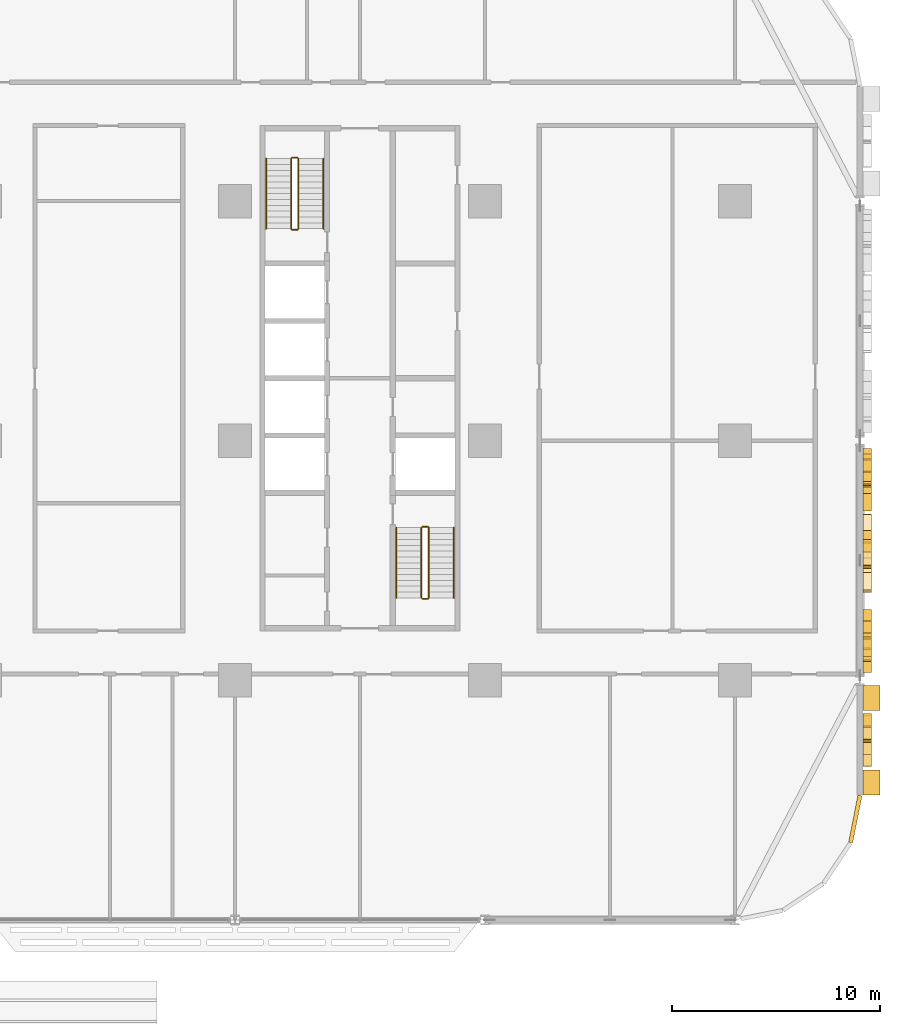
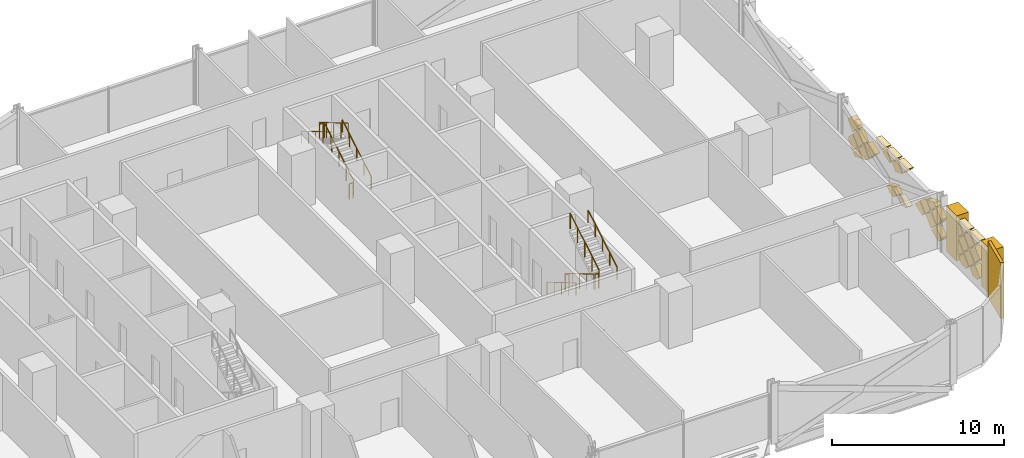
# One storey, part 25 of 26: 32 coverings, 12 railings.
"""IFC4 building model written with IfcOpenShell, lengths in metres."""

from ifc_helpers import new_model, si_unit, direction, frame, origin, origin_2d, place, context, subcontext, project, spatial, polyline, rectangle, circle, outline, extrude, material, layer, layer_set, type_object, element, save


model = new_model("IFC4")

# Units and contexts
model_context = context("Model", 3, precision=1e-05, world=origin(), true_north=direction((0.0, 1.0)))
body_context = subcontext(model_context, "Body", "Model", "MODEL_VIEW")
ifc_project = project(units=[si_unit("LENGTHUNIT", "METRE"), si_unit("AREAUNIT", "SQUARE_METRE"), si_unit("VOLUMEUNIT", "CUBIC_METRE"), si_unit("PLANEANGLEUNIT", "RADIAN"), si_unit("MASSUNIT", "GRAM", prefix="KILO")], contexts=[model_context])

# Site, building, storey
site_placement = place(None, origin())
site = spatial("IfcSite", under=ifc_project, at=site_placement, CompositionType="ELEMENT")
building_placement = place(site_placement, origin())
building = spatial("IfcBuilding", under=site, at=building_placement, Name="Mahtab Terrace Research Tower", CompositionType="ELEMENT")
storey_placement = place(building_placement, frame((0.0, 0.0, 15.800048828125)))
storey = spatial("IfcBuildingStorey", under=building, at=storey_placement, Name="L03", CompositionType="ELEMENT", Elevation=15.800048828125)

# Coverings
ifc_material_1 = material(Name="Black aluminium cladding panel", Category="aluminium")
ifc_layer_1 = layer(ifc_material_1, 0.199951171875)
ifc_layer_set_1 = layer_set([ifc_layer_1], Name="Black metal corner cladding 200")
covering_type_1 = type_object("IfcCoveringType", Name="Black metal corner cladding 200", PredefinedType="CLADDING", material=ifc_layer_set_1)
covering_1_placement = place(storey_placement, frame((47.771484375, -18.14794921875, 0.0), z_axis=(0.0, 0.0, 1.0), x_axis=(0.195212442692, 0.980760981187, 0.0)))
element("IfcCovering", 1, at=covering_1_placement, inside=storey, type_object=covering_type_1, Name="Corner cladding L03 32", PredefinedType="CLADDING", context=body_context, shape_type="SweptSolid", body=[
    extrude(rectangle(XDim=2.30126953125, YDim=0.199951171875, at=origin_2d()), origin(), (0.0, 0.0, 1.0), 3.9599609375),
])
ifc_material_2 = material(Name="Bronze anodised aluminium", Category="aluminium")
ifc_layer_2 = layer(ifc_material_2, 0.39990234375)
ifc_layer_set_2 = layer_set([ifc_layer_2], Name="Mashrabiya relief panel 400")
covering_type_2 = type_object("IfcCoveringType", Name="Mashrabiya relief panel 400", PredefinedType="CLADDING", material=ifc_layer_set_2)
covering_2_placement = place(storey_placement, frame((48.14990234375, -15.6298828125, 0.449951171875), z_axis=(-1.0, 0.0, 0.0), x_axis=(0.0, 0.706957932274, 0.707255598772)))
element("IfcCovering", 2, at=covering_2_placement, inside=storey, type_object=covering_type_2, Name="Mashrabiya lattice cell L03 E33.1", PredefinedType="CLADDING", context=body_context, shape_type="SweptSolid", body=[
    extrude(outline(polyline([(0.0, 0.0), (0.8201817362875763, 0.0), (0.8200090664636573, 0.8203543334390104), (0.37461466825813394, 0.8202605859335999), (-9.374750541055188e-05, 0.4453943982055234), (0.0, 0.0)])), origin(), (0.0, 0.0, -1.0), 0.39990234375),
])
covering_3_placement = place(storey_placement, frame((48.14990234375, -15.050048828125, 2.329833984375), z_axis=(-1.0, 0.0, 0.0), x_axis=(0.0, 0.707255598772, -0.706957932274)))
element("IfcCovering", 3, at=covering_3_placement, inside=storey, type_object=covering_type_2, Name="Mashrabiya lattice cell L03 E33.2", PredefinedType="CLADDING", context=body_context, shape_type="SweptSolid", body=[
    extrude(outline(polyline([(0.0, 0.0), (0.8201817362875763, 0.0), (0.8200090664636573, 0.8203543334390104), (-0.00017259715143413956, 0.8200090664636573), (0.0, 0.0)])), origin(), (0.0, 0.0, -1.0), 0.39990234375),
])
covering_4_placement = place(storey_placement, frame((48.14990234375, -14.469970703125, 3.050048828125), z_axis=(-1.0, 0.0, 0.0), x_axis=(0.0, -0.707106781187, -0.707106781187)))
element("IfcCovering", 4, at=covering_4_placement, inside=storey, type_object=covering_type_2, Name="Mashrabiya lattice cell L03 E33.3", PredefinedType="CLADDING", context=body_context, shape_type="SweptSolid", body=[
    extrude(outline(polyline([(0.0, 0.0), (0.8203543516109556, 0.0), (0.820181718119455, 0.820181718119455), (0.7949772283603641, 0.820181718119455), (0.00017263349150062161, 0.02537712325059143), (0.0, 0.0)])), origin(), (0.0, 0.0, -1.0), 0.39990234375),
])
for number, where, z_axis, x_axis, name in (
    (5, (48.14990234375, -14.39990234375, 1.679931640625), (-1.0, 0.0, 0.0), (0.0, 0.706957932274, -0.707255598772), "Mashrabiya lattice cell L03 E33.4"),
    (6, (48.14990234375, -14.39990234375, 2.97998046875), (-1.0, 0.0, 0.0), (0.0, 0.706957932274, -0.707255598772), "Mashrabiya lattice cell L03 E33.5"),
):
    element("IfcCovering", number, at=place(storey_placement, frame(where, z_axis=z_axis, x_axis=x_axis)), inside=storey, type_object=covering_type_2, Name=name, PredefinedType="CLADDING", context=body_context, shape_type="SweptSolid", body=[
        extrude(outline(polyline([(0.0, 0.0), (0.8201817362875763, 0.0), (0.8203543334390104, 0.8200090664636573), (0.00017266982391900276, 0.8203543334390104), (0.0, 0.0)])), origin(), (0.0, 0.0, -1.0), 0.39990234375),
    ])
covering_5_placement = place(storey_placement, frame((48.14990234375, -14.330078125, 0.449951171875), z_axis=(-1.0, 0.0, 0.0), x_axis=(0.0, 0.707106781187, 0.707106781187)))
element("IfcCovering", 7, at=covering_5_placement, inside=storey, type_object=covering_type_2, Name="Mashrabiya lattice cell L03 E33.6", PredefinedType="CLADDING", context=body_context, shape_type="SweptSolid", body=[
    extrude(outline(polyline([(0.0, 0.0), (0.8203543516109556, 0.0), (0.8203543516109556, 0.8203543516109556), (0.3747873100478503, 0.8201817181194551), (0.00017263349150062335, 0.44556704156310534), (0.0, 0.0)])), origin(), (0.0, 0.0, -1.0), 0.39990234375),
])
covering_6_placement = place(storey_placement, frame((48.14990234375, -13.75, 2.329833984375), z_axis=(-1.0, 0.0, 0.0), x_axis=(0.0, 0.707255598772, -0.706957932274)))
element("IfcCovering", 8, at=covering_6_placement, inside=storey, type_object=covering_type_2, Name="Mashrabiya lattice cell L03 E33.7", PredefinedType="CLADDING", context=body_context, shape_type="SweptSolid", body=[
    extrude(outline(polyline([(0.0, 0.0), (0.8201817362875763, 0.0), (0.8200090664636573, 0.8203543334390104), (-0.0003452669753531423, 0.8201816636150915), (0.0, 0.0)])), origin(), (0.0, 0.0, -1.0), 0.39990234375),
])
covering_7_placement = place(storey_placement, frame((48.14990234375, -13.169921875, 3.050048828125), z_axis=(-1.0, 0.0, 0.0), x_axis=(0.0, -0.707106781187, -0.707106781187)))
element("IfcCovering", 9, at=covering_7_placement, inside=storey, type_object=covering_type_2, Name="Mashrabiya lattice cell L03 E33.8", PredefinedType="CLADDING", context=body_context, shape_type="SweptSolid", body=[
    extrude(outline(polyline([(0.0, 0.0), (0.8203543516109556, 0.0), (0.8203543516109556, 0.8203543516109556), (0.7949772283603641, 0.820181718119455), (0.00017263349150062161, 0.02537712325059143), (0.0, 0.0)])), origin(), (0.0, 0.0, -1.0), 0.39990234375),
])
covering_8_placement = place(storey_placement, frame((48.14990234375, -13.10009765625, 0.52001953125), z_axis=(-1.0, 0.0, 0.0), x_axis=(0.0, -0.707106781187, 0.707106781187)))
element("IfcCovering", 10, at=covering_8_placement, inside=storey, type_object=covering_type_2, Name="Mashrabiya lattice cell L03 E33.9", PredefinedType="CLADDING", context=body_context, shape_type="SweptSolid", body=[
    extrude(outline(polyline([(0.0, 0.0), (0.8200090846279543, 0.0), (0.820181718119455, 0.820181718119455), (0.7975667307328734, 0.8203543516109556), (-0.00017263349150062161, 0.022614987386581478), (0.0, 0.0)])), origin(), (0.0, 0.0, -1.0), 0.39990234375),
])
covering_9_placement = place(storey_placement, frame((48.14990234375, -13.10009765625, 1.820068359375), z_axis=(-1.0, 0.0, 0.0), x_axis=(0.0, -0.707106781187, 0.707106781187)))
element("IfcCovering", 11, at=covering_9_placement, inside=storey, type_object=covering_type_2, Name="Mashrabiya lattice cell L03 E33.10", PredefinedType="CLADDING", context=body_context, shape_type="SweptSolid", body=[
    extrude(outline(polyline([(0.0, 0.0), (0.8200090846279543, 0.0), (0.820181718119455, 0.820181718119455), (0.7973940972413728, 0.820181718119455), (-0.00017263349150062161, 0.022614987386581478), (0.0, 0.0)])), origin(), (0.0, 0.0, -1.0), 0.39990234375),
])
covering_10_placement = place(storey_placement, frame((48.14990234375, -11.115966796875, 0.385009765625), z_axis=(-1.0, 0.0, 0.0), x_axis=(0.0, 0.0, 1.0)))
element("IfcCovering", 12, at=covering_10_placement, inside=storey, type_object=covering_type_2, Name="Mashrabiya lattice cell L03 E34.1", PredefinedType="CLADDING", context=body_context, shape_type="SweptSolid", body=[
    extrude(outline(polyline([(0.0, 0.0), (0.1298828125, 0.0), (0.64501953125, 0.514892578125), (0.06494140625, 1.094970703125), (0.0, 1.030029296875), (-0.25, 0.362060546875), (-0.25, 0.25), (0.0, 0.0)])), origin(), (0.0, 0.0, -1.0), 0.39990234375),
])
covering_11_placement = place(storey_placement, frame((48.14990234375, -10.60107421875, 2.329833984375), z_axis=(-1.0, 0.0, 0.0), x_axis=(0.0, 0.707255598772, -0.706957932274)))
element("IfcCovering", 13, at=covering_11_placement, inside=storey, type_object=covering_type_2, Name="Mashrabiya lattice cell L03 E34.2", PredefinedType="CLADDING", context=body_context, shape_type="SweptSolid", body=[
    extrude(outline(polyline([(0.0, 0.0), (0.8201817362875763, 0.0), (0.8200090664636573, 0.8203543334390104), (0.0916684182924955, 0.820028397344618), (-0.0001532662704735177, 0.7281680510197277), (0.0, 0.0)])), origin(), (0.0, 0.0, -1.0), 0.39990234375),
])
covering_12_placement = place(storey_placement, frame((48.14990234375, -9.950927734375, 1.679931640625), z_axis=(-1.0, 0.0, 0.0), x_axis=(0.0, 0.706957932274, -0.707255598772)))
element("IfcCovering", 14, at=covering_12_placement, inside=storey, type_object=covering_type_2, Name="Mashrabiya lattice cell L03 E34.3", PredefinedType="CLADDING", context=body_context, shape_type="SweptSolid", body=[
    extrude(outline(polyline([(0.0, 0.0), (0.8201817362875763, 0.0), (0.8203543334390104, 0.8200090664636573), (0.00017266982391900276, 0.8203543334390104), (0.0, 0.0)])), origin(), (0.0, 0.0, -1.0), 0.39990234375),
])
covering_13_placement = place(storey_placement, frame((48.14990234375, -9.950927734375, 1.820068359375), z_axis=(-1.0, 0.0, 0.0), x_axis=(0.0, -0.707255598772, 0.706957932274)))
element("IfcCovering", 15, at=covering_13_placement, inside=storey, type_object=covering_type_2, Name="Mashrabiya lattice cell L03 E34.4", PredefinedType="CLADDING", context=body_context, shape_type="SweptSolid", body=[
    extrude(outline(polyline([(0.0, 0.0), (0.8201817362875763, 0.0), (0.8201287580461467, 0.2516996250324237), (-0.00013153719751402004, 0.6249332253891452), (0.0, 0.0)])), origin(), (0.0, 0.0, -1.0), 0.39990234375),
])
covering_14_placement = place(storey_placement, frame((48.14990234375, -8.720947265625, 1.75), z_axis=(-1.0, 0.0, 0.0), x_axis=(0.0, -0.707106781187, -0.707106781187)))
element("IfcCovering", 16, at=covering_14_placement, inside=storey, type_object=covering_type_2, Name="Mashrabiya lattice cell L03 E34.5", PredefinedType="CLADDING", context=body_context, shape_type="SweptSolid", body=[
    extrude(outline(polyline([(0.0, 0.0), (0.8203543516109556, 0.0), (0.8203543516109556, 0.8203543516109556), (0.1500185041140405, 0.820181718119455), (0.00017263349150062335, 0.49217808426827325), (0.0, 0.0)])), origin(), (0.0, 0.0, -1.0), 0.39990234375),
])
covering_15_placement = place(storey_placement, frame((48.14990234375, -9.23095703125, 1.099853515625), z_axis=(-1.0, 0.0, 0.0), x_axis=(0.0, 0.707106781187, 0.707106781187)))
element("IfcCovering", 17, at=covering_15_placement, inside=storey, type_object=covering_type_2, Name="Mashrabiya lattice cell L03 E34.6", PredefinedType="CLADDING", context=body_context, shape_type="SweptSolid", body=[
    extrude(outline(polyline([(0.0, 0.0), (0.8203543516109556, 0.0), (0.820181718119455, 0.7804760150743119), (0.0, 0.4070697729584666), (0.0, 0.0)])), origin(), (0.0, 0.0, -1.0), 0.39990234375),
])
covering_16_placement = place(storey_placement, frame((48.14990234375, -7.160888671875, 0.329833984375), z_axis=(-1.0, 0.0, 0.0), x_axis=(0.0, 0.936939642646, 0.349491210244)))
element("IfcCovering", 18, at=covering_16_placement, inside=storey, type_object=covering_type_2, Name="Mashrabiya lattice cell L03 E34.7", PredefinedType="CLADDING", context=body_context, shape_type="SweptSolid", body=[
    extrude(outline(polyline([(0.0, 0.0), (0.9018411268612947, 0.0), (1.0162049837573561, 0.2508566309202513), (0.6110546419046019, 0.4358684663201832), (0.11444918189856254, 0.2506278858903084), (0.0, 0.0)])), origin(), (0.0, 0.0, -1.0), 0.39990234375),
])
covering_17_placement = place(storey_placement, frame((48.14990234375, -6.12109375, 3.050048828125), z_axis=(-1.0, 0.0, 0.0), x_axis=(0.0, -0.706957932274, -0.707255598772)))
element("IfcCovering", 19, at=covering_17_placement, inside=storey, type_object=covering_type_2, Name="Mashrabiya lattice cell L03 E34.8", PredefinedType="CLADDING", context=body_context, shape_type="SweptSolid", body=[
    extrude(outline(polyline([(0.0, 0.0), (0.8201817362875763, 0.0), (0.8200090664636573, 0.8203543334390104), (0.7946319801114454, 0.8201763585237), (-5.30509139145055e-06, 0.02520448920077768), (0.0, 0.0)])), origin(), (0.0, 0.0, -1.0), 0.39990234375),
])
covering_18_placement = place(storey_placement, frame((48.14990234375, -6.631103515625, 2.39990234375), z_axis=(-1.0, 0.0, 0.0), x_axis=(0.0, 0.707106781187, 0.707106781187)))
element("IfcCovering", 20, at=covering_18_placement, inside=storey, type_object=covering_type_2, Name="Mashrabiya lattice cell L03 E34.9", PredefinedType="CLADDING", context=body_context, shape_type="SweptSolid", body=[
    extrude(outline(polyline([(0.0, 0.0), (0.8203543516109556, 0.0), (0.8203543516109556, 0.8203543516109556), (0.30694234788810587, 0.8203543516109555), (0.0, 0.14570266682652494), (0.0, 0.0)])), origin(), (0.0, 0.0, -1.0), 0.39990234375),
])
covering_19_placement = place(storey_placement, frame((48.14990234375, -5.98095703125, 0.449951171875), z_axis=(-1.0, 0.0, 0.0), x_axis=(0.0, 0.707106781187, 0.707106781187)))
element("IfcCovering", 21, at=covering_19_placement, inside=storey, type_object=covering_type_2, Name="Mashrabiya lattice cell L03 E34.10", PredefinedType="CLADDING", context=body_context, shape_type="SweptSolid", body=[
    extrude(outline(polyline([(0.0, 0.0), (0.5075424650118285, 0.0), (0.820181718119455, 0.685872861731971), (0.820181718119455, 0.820181718119455), (0.3747873100478503, 0.8201817181194551), (0.0, 0.4453944080716047), (0.0, 0.0)])), origin(), (0.0, 0.0, -1.0), 0.39990234375),
])
covering_20_placement = place(storey_placement, frame((48.14990234375, -4.821044921875, 3.050048828125), z_axis=(-1.0, 0.0, 0.0), x_axis=(0.0, -0.706957932274, -0.707255598772)))
element("IfcCovering", 22, at=covering_20_placement, inside=storey, type_object=covering_type_2, Name="Mashrabiya lattice cell L03 E34.11", PredefinedType="CLADDING", context=body_context, shape_type="SweptSolid", body=[
    extrude(outline(polyline([(0.0, 0.0), (0.8201817362875763, 0.0), (0.8200090664636573, 0.8203543334390104), (0.7946319801114454, 0.8201763585237), (0.00016729206004270115, 0.025377159024696644), (0.0, 0.0)])), origin(), (0.0, 0.0, -1.0), 0.39990234375),
])
covering_21_placement = place(storey_placement, frame((48.14990234375, -5.3310546875, 2.39990234375), z_axis=(-1.0, 0.0, 0.0), x_axis=(0.0, 0.707106781187, 0.707106781187)))
element("IfcCovering", 23, at=covering_21_placement, inside=storey, type_object=covering_type_2, Name="Mashrabiya lattice cell L03 E34.12", PredefinedType="CLADDING", context=body_context, shape_type="SweptSolid", body=[
    extrude(outline(polyline([(0.0, 0.0), (0.8203543516109556, 0.0), (0.8203543516109556, 0.6180278995722267), (0.00017263349150062335, 0.24462165745638131), (0.0, 0.0)])), origin(), (0.0, 0.0, -1.0), 0.39990234375),
])
covering_22_placement = place(storey_placement, frame((48.14990234375, -4.680908203125, 3.050048828125), z_axis=(-1.0, 0.0, 0.0), x_axis=(0.0, 0.707106781187, 0.707106781187)))
element("IfcCovering", 24, at=covering_22_placement, inside=storey, type_object=covering_type_2, Name="Mashrabiya lattice cell L03 E34.13", PredefinedType="CLADDING", context=body_context, shape_type="SweptSolid", body=[
    extrude(outline(polyline([(0.0, 0.0), (0.025204489759090808, 0.0), (0.8200090846279544, 0.7948045948688636), (0.820181718119455, 0.820181718119455), (0.3449217160182427, 0.8203543516109555), (0.0, 0.6632578743453896), (0.0, 0.0)])), origin(), (0.0, 0.0, -1.0), 0.39990234375),
])
covering_23_placement = place(storey_placement, frame((48.14990234375, -2.220947265625, 1.75), z_axis=(-1.0, 0.0, 0.0), x_axis=(0.0, -0.707106781187, -0.707106781187)))
element("IfcCovering", 25, at=covering_23_placement, inside=storey, type_object=covering_type_2, Name="Mashrabiya lattice cell L03 E34.14", PredefinedType="CLADDING", context=body_context, shape_type="SweptSolid", body=[
    extrude(outline(polyline([(0.0, 0.0), (0.8203543516109556, 0.0), (0.8203543516109555, 0.8131037449679295), (0.0, 0.4384890684115798), (0.0, 0.0)])), origin(), (0.0, 0.0, -1.0), 0.39990234375),
])
covering_24_placement = place(storey_placement, frame((48.14990234375, -2.73095703125, 1.099853515625), z_axis=(-1.0, 0.0, 0.0), x_axis=(0.0, 0.707106781187, 0.707106781187)))
element("IfcCovering", 26, at=covering_24_placement, inside=storey, type_object=covering_type_2, Name="Mashrabiya lattice cell L03 E34.15", PredefinedType="CLADDING", context=body_context, shape_type="SweptSolid", body=[
    extrude(outline(polyline([(0.0, 0.0), (0.8203543516109556, 0.0), (0.820181718119455, 0.820181718119455), (0.14432159889451995, 0.8200090846279544), (0.0, 0.5033992612158137), (0.0, 0.0)])), origin(), (0.0, 0.0, -1.0), 0.39990234375),
])
covering_25_placement = place(storey_placement, frame((48.14990234375, -1.5009765625, 1.030029296875), z_axis=(-1.0, 0.0, 0.0), x_axis=(0.0, 0.707106781187, -0.707106781187)))
element("IfcCovering", 27, at=covering_25_placement, inside=storey, type_object=covering_type_2, Name="Mashrabiya lattice cell L03 E34.16", PredefinedType="CLADDING", context=body_context, shape_type="SweptSolid", body=[
    extrude(outline(polyline([(0.0, 0.0), (0.8203543516109556, 0.0), (0.820181718119455, 0.2573965358274274), (0.0, 0.6308027779432727), (0.0, 0.0)])), origin(), (0.0, 0.0, -1.0), 0.39990234375),
])
covering_26_placement = place(storey_placement, frame((48.14990234375, -1.5009765625, 2.329833984375), z_axis=(-1.0, 0.0, 0.0), x_axis=(0.0, 0.707255598772, -0.706957932274)))
element("IfcCovering", 28, at=covering_26_placement, inside=storey, type_object=covering_type_2, Name="Mashrabiya lattice cell L03 E34.17", PredefinedType="CLADDING", context=body_context, shape_type="SweptSolid", body=[
    extrude(outline(polyline([(0.0, 0.0), (0.8201817362875763, 0.0), (0.8200090664636573, 0.8203543334390104), (-0.0003452669753531423, 0.8201816636150915), (0.0, 0.0)])), origin(), (0.0, 0.0, -1.0), 0.39990234375),
])
covering_27_placement = place(storey_placement, frame((48.14990234375, -0.85107421875, 0.52001953125), z_axis=(-1.0, 0.0, 0.0), x_axis=(0.0, -0.707106781187, 0.707106781187)))
element("IfcCovering", 29, at=covering_27_placement, inside=storey, type_object=covering_type_2, Name="Mashrabiya lattice cell L03 E34.18", PredefinedType="CLADDING", context=body_context, shape_type="SweptSolid", body=[
    extrude(outline(polyline([(0.0, 0.0), (0.8200090846279543, 0.0), (0.820181718119455, 0.820181718119455), (0.1596859796380753, 0.820181718119455), (0.0, 0.6604957384813797), (0.0, 0.0)])), origin(), (0.0, 0.0, -1.0), 0.39990234375),
])
covering_28_placement = place(storey_placement, frame((48.14990234375, -0.85107421875, 1.820068359375), z_axis=(-1.0, 0.0, 0.0), x_axis=(0.0, -0.707106781187, 0.707106781187)))
element("IfcCovering", 30, at=covering_28_placement, inside=storey, type_object=covering_type_2, Name="Mashrabiya lattice cell L03 E34.19", PredefinedType="CLADDING", context=body_context, shape_type="SweptSolid", body=[
    extrude(outline(polyline([(0.0, 0.0), (0.8200090846279543, 0.0), (0.8200090846279544, 0.16262074899358586), (0.5203173433828746, 0.8203543516109556), (0.1596859796380753, 0.820181718119455), (-0.0001726334915006511, 0.660323104989879), (0.0, 0.0)])), origin(), (0.0, 0.0, -1.0), 0.39990234375),
])
ifc_material_3 = material(Name="Glazed ceramic tile cladding", Category="masonry")
ifc_layer_3 = layer(ifc_material_3, 0.800048828125)
ifc_layer_set_3 = layer_set([ifc_layer_3], Name="Pishtaq frame pier 800")
covering_type_3 = type_object("IfcCoveringType", Name="Pishtaq frame pier 800", PredefinedType="CLADDING", material=ifc_layer_set_3)
for number, where, z_axis, x_axis, name in (
    (31, (48.550048828125, -16.39990234375, 0.00048828125), (0.0, 0.0, 1.0), (0.0, 1.0, 0.0), "Pishtaq frame pier 33a"),
    (32, (48.550048828125, -12.34912109375, 0.00048828125), (0.0, 0.0, 1.0), (0.0, 1.0, 0.0), "Pishtaq frame pier 33b"),
):
    element("IfcCovering", number, at=place(storey_placement, frame(where, z_axis=z_axis, x_axis=x_axis)), inside=storey, type_object=covering_type_3, Name=name, PredefinedType="CLADDING", context=body_context, shape_type="SweptSolid", body=[
        extrude(rectangle(XDim=1.199951171875, YDim=0.800048828125, at=origin_2d()), origin(), (0.0, 0.0, 1.0), 3.202880859375),
    ])

# Railings
ifc_material_4 = material(Name="Stainless steel AISI 304", Category="steel")
railing_type_1 = type_object("IfcRailingType", Name="Stair guard 1100", PredefinedType="GUARDRAIL", material=ifc_material_4)
railing_1_placement = place(storey_placement, frame((21.050048828125, 10.175048828125, 0.165283203125)))
element("IfcRailing", 33, at=railing_1_placement, inside=storey, type_object=railing_type_1, Name="L03 ST3 stair guard 1", PredefinedType="GUARDRAIL", context=body_context, shape_type="SweptSolid", body=[
    extrude(circle(Radius=0.02392578125, at=origin_2d()), frame((0.0, 0.0, 1.076171875), z_axis=(0.0, 0.861011212953, 0.508585972249), x_axis=(-1.0, 0.0, 0.0)), (0.0, 0.0, 1.0), 3.90234375),
    extrude(circle(Radius=0.02099609375, at=origin_2d()), origin(), (0.0, 0.0, 1.0), 1.052001953125),
    extrude(circle(Radius=0.02099609375, at=origin_2d()), frame((0.0, 0.83984375, 0.49609375)), (0.0, 0.0, 1.0), 1.052001953125),
    extrude(circle(Radius=0.02099609375, at=origin_2d()), frame((0.0, 1.679931640625, 0.9921875)), (0.0, 0.0, 1.0), 1.052001953125),
    extrude(circle(Radius=0.02099609375, at=origin_2d()), frame((0.0, 2.52001953125, 1.488525390625)), (0.0, 0.0, 1.0), 1.052001953125),
    extrude(circle(Radius=0.02099609375, at=origin_2d()), frame((0.0, 3.35986328125, 1.984619140625)), (0.0, 0.0, 1.0), 1.052001953125),
])
railing_2_placement = place(storey_placement, frame((21.0, 13.5849609375, 2.14990234375)))
element("IfcRailing", 34, at=railing_2_placement, inside=storey, type_object=railing_type_1, Name="L03 ST3 stair guard 2", PredefinedType="GUARDRAIL", context=body_context, shape_type="SweptSolid", body=[
    extrude(circle(Radius=0.02392578125, at=origin_2d()), frame((0.0, 0.0, 1.076171875), z_axis=(-1.0, 0.0, 0.0), x_axis=(0.0, -1.0, 0.0)), (0.0, 0.0, 1.0), 0.25),
    extrude(circle(Radius=0.02099609375, at=origin_2d()), origin(), (0.0, 0.0, 1.0), 1.052001953125),
    extrude(circle(Radius=0.02099609375, at=origin_2d()), frame((-0.25, 0.0, 0.0)), (0.0, 0.0, 1.0), 1.052001953125),
])
railing_3_placement = place(storey_placement, frame((20.699951171875, 13.534912109375, 2.3154296875)))
element("IfcRailing", 35, at=railing_3_placement, inside=storey, type_object=railing_type_1, Name="L03 ST3 stair guard 3", PredefinedType="GUARDRAIL", context=body_context, shape_type="SweptSolid", body=[
    extrude(circle(Radius=0.02392578125, at=origin_2d()), frame((0.0, 0.0, 1.076171875), z_axis=(0.0, -0.861011212953, 0.508585972249), x_axis=(1.0, 0.0, 0.0)), (0.0, 0.0, 1.0), 3.90234375),
    extrude(circle(Radius=0.02099609375, at=origin_2d()), origin(), (0.0, 0.0, 1.0), 1.052001953125),
    extrude(circle(Radius=0.02099609375, at=origin_2d()), frame((0.0, -0.83984375, 0.49609375)), (0.0, 0.0, 1.0), 1.052001953125),
    extrude(circle(Radius=0.02099609375, at=origin_2d()), frame((0.0, -1.679931640625, 0.9921875)), (0.0, 0.0, 1.0), 1.052001953125),
    extrude(circle(Radius=0.02099609375, at=origin_2d()), frame((0.0, -2.52001953125, 1.488525390625)), (0.0, 0.0, 1.0), 1.052001953125),
    extrude(circle(Radius=0.02099609375, at=origin_2d()), frame((0.0, -3.35986328125, 1.984619140625)), (0.0, 0.0, 1.0), 1.052001953125),
])
railing_4_placement = place(storey_placement, frame((21.0, 10.125, 0.0)))
element("IfcRailing", 36, at=railing_4_placement, inside=storey, type_object=railing_type_1, Name="L03 ST3 stair guard 4", PredefinedType="GUARDRAIL", context=body_context, shape_type="SweptSolid", body=[
    extrude(circle(Radius=0.02392578125, at=origin_2d()), frame((0.0, 0.0, 1.076171875), z_axis=(-1.0, 0.0, 0.0), x_axis=(0.0, -1.0, 0.0)), (0.0, 0.0, 1.0), 0.25),
    extrude(circle(Radius=0.02099609375, at=origin_2d()), origin(), (0.0, 0.0, 1.0), 1.052001953125),
    extrude(circle(Radius=0.02099609375, at=origin_2d()), frame((-0.25, 0.0, 0.0)), (0.0, 0.0, 1.0), 1.052001953125),
])
railing_5_placement = place(storey_placement, frame((26.949951171875, -4.175048828125, 0.165283203125)))
element("IfcRailing", 37, at=railing_5_placement, inside=storey, type_object=railing_type_1, Name="L03 ST4 stair guard 1", PredefinedType="GUARDRAIL", context=body_context, shape_type="SweptSolid", body=[
    extrude(circle(Radius=0.02392578125, at=origin_2d()), frame((0.0, 0.0, 1.076171875), z_axis=(0.0, -0.861011212953, 0.508585972249), x_axis=(1.0, 0.0, 0.0)), (0.0, 0.0, 1.0), 3.90234375),
    extrude(circle(Radius=0.02099609375, at=origin_2d()), origin(), (0.0, 0.0, 1.0), 1.052001953125),
    extrude(circle(Radius=0.02099609375, at=origin_2d()), frame((0.0, -0.83984375, 0.49609375)), (0.0, 0.0, 1.0), 1.052001953125),
    extrude(circle(Radius=0.02099609375, at=origin_2d()), frame((0.0, -1.679931640625, 0.9921875)), (0.0, 0.0, 1.0), 1.052001953125),
    extrude(circle(Radius=0.02099609375, at=origin_2d()), frame((0.0, -2.52001953125, 1.488525390625)), (0.0, 0.0, 1.0), 1.052001953125),
    extrude(circle(Radius=0.02099609375, at=origin_2d()), frame((0.0, -3.35986328125, 1.984619140625)), (0.0, 0.0, 1.0), 1.052001953125),
])
railing_6_placement = place(storey_placement, frame((27.0, -7.5849609375, 2.14990234375)))
element("IfcRailing", 38, at=railing_6_placement, inside=storey, type_object=railing_type_1, Name="L03 ST4 stair guard 2", PredefinedType="GUARDRAIL", context=body_context, shape_type="SweptSolid", body=[
    extrude(circle(Radius=0.02392578125, at=origin_2d()), frame((0.0, 0.0, 1.076171875), z_axis=(1.0, 0.0, 0.0), x_axis=(0.0, 1.0, 0.0)), (0.0, 0.0, 1.0), 0.25),
    extrude(circle(Radius=0.02099609375, at=origin_2d()), origin(), (0.0, 0.0, 1.0), 1.052001953125),
    extrude(circle(Radius=0.02099609375, at=origin_2d()), frame((0.25, 0.0, 0.0)), (0.0, 0.0, 1.0), 1.052001953125),
])
railing_7_placement = place(storey_placement, frame((27.300048828125, -7.534912109375, 2.3154296875)))
element("IfcRailing", 39, at=railing_7_placement, inside=storey, type_object=railing_type_1, Name="L03 ST4 stair guard 3", PredefinedType="GUARDRAIL", context=body_context, shape_type="SweptSolid", body=[
    extrude(circle(Radius=0.02392578125, at=origin_2d()), frame((0.0, 0.0, 1.076171875), z_axis=(0.0, 0.861011212953, 0.508585972249), x_axis=(-1.0, 0.0, 0.0)), (0.0, 0.0, 1.0), 3.90234375),
    extrude(circle(Radius=0.02099609375, at=origin_2d()), origin(), (0.0, 0.0, 1.0), 1.052001953125),
    extrude(circle(Radius=0.02099609375, at=origin_2d()), frame((0.0, 0.83984375, 0.49609375)), (0.0, 0.0, 1.0), 1.052001953125),
    extrude(circle(Radius=0.02099609375, at=origin_2d()), frame((0.0, 1.679931640625, 0.9921875)), (0.0, 0.0, 1.0), 1.052001953125),
    extrude(circle(Radius=0.02099609375, at=origin_2d()), frame((0.0, 2.52001953125, 1.488525390625)), (0.0, 0.0, 1.0), 1.052001953125),
    extrude(circle(Radius=0.02099609375, at=origin_2d()), frame((0.0, 3.35986328125, 1.984619140625)), (0.0, 0.0, 1.0), 1.052001953125),
])
railing_8_placement = place(storey_placement, frame((27.0, -4.125, 0.0)))
element("IfcRailing", 40, at=railing_8_placement, inside=storey, type_object=railing_type_1, Name="L03 ST4 stair guard 4", PredefinedType="GUARDRAIL", context=body_context, shape_type="SweptSolid", body=[
    extrude(circle(Radius=0.02392578125, at=origin_2d()), frame((0.0, 0.0, 1.076171875), z_axis=(1.0, 0.0, 0.0), x_axis=(0.0, 1.0, 0.0)), (0.0, 0.0, 1.0), 0.25),
    extrude(circle(Radius=0.02099609375, at=origin_2d()), origin(), (0.0, 0.0, 1.0), 1.052001953125),
    extrude(circle(Radius=0.02099609375, at=origin_2d()), frame((0.25, 0.0, 0.0)), (0.0, 0.0, 1.0), 1.052001953125),
])
railing_type_2 = type_object("IfcRailingType", Name="Stair handrail 900", PredefinedType="HANDRAIL", material=ifc_material_4)
railing_9_placement = place(storey_placement, frame((22.25, 10.175048828125, 0.165283203125)))
element("IfcRailing", 41, at=railing_9_placement, inside=storey, type_object=railing_type_2, Name="L03 ST3 stair handrail 1", PredefinedType="HANDRAIL", context=body_context, shape_type="SweptSolid", body=[
    extrude(circle(Radius=0.02392578125, at=origin_2d()), frame((0.0, 0.0, 0.8759765625), z_axis=(0.0, 0.861011212953, 0.508585972249), x_axis=(-1.0, 0.0, 0.0)), (0.0, 0.0, 1.0), 3.90234375),
    extrude(circle(Radius=0.02099609375, at=origin_2d()), origin(), (0.0, 0.0, 1.0), 0.851806640625),
    extrude(circle(Radius=0.02099609375, at=origin_2d()), frame((0.0, 0.83984375, 0.49609375)), (0.0, 0.0, 1.0), 0.851806640625),
    extrude(circle(Radius=0.02099609375, at=origin_2d()), frame((0.0, 1.679931640625, 0.9921875)), (0.0, 0.0, 1.0), 0.851806640625),
    extrude(circle(Radius=0.02099609375, at=origin_2d()), frame((0.0, 2.52001953125, 1.488525390625)), (0.0, 0.0, 1.0), 0.851806640625),
    extrude(circle(Radius=0.02099609375, at=origin_2d()), frame((0.0, 3.35986328125, 1.984619140625)), (0.0, 0.0, 1.0), 0.851806640625),
])
for number, where, name in (
    (42, (19.5, 13.534912109375, 2.3154296875), "L03 ST3 stair handrail 2"),
    (43, (25.75, -4.175048828125, 0.165283203125), "L03 ST4 stair handrail 1"),
):
    element("IfcRailing", number, at=place(storey_placement, frame(where)), inside=storey, type_object=railing_type_2, Name=name, PredefinedType="HANDRAIL", context=body_context, shape_type="SweptSolid", body=[
        extrude(circle(Radius=0.02392578125, at=origin_2d()), frame((0.0, 0.0, 0.8759765625), z_axis=(0.0, -0.861011212953, 0.508585972249), x_axis=(1.0, 0.0, 0.0)), (0.0, 0.0, 1.0), 3.90234375),
        extrude(circle(Radius=0.02099609375, at=origin_2d()), origin(), (0.0, 0.0, 1.0), 0.851806640625),
        extrude(circle(Radius=0.02099609375, at=origin_2d()), frame((0.0, -0.83984375, 0.49609375)), (0.0, 0.0, 1.0), 0.851806640625),
        extrude(circle(Radius=0.02099609375, at=origin_2d()), frame((0.0, -1.679931640625, 0.9921875)), (0.0, 0.0, 1.0), 0.851806640625),
        extrude(circle(Radius=0.02099609375, at=origin_2d()), frame((0.0, -2.52001953125, 1.488525390625)), (0.0, 0.0, 1.0), 0.851806640625),
        extrude(circle(Radius=0.02099609375, at=origin_2d()), frame((0.0, -3.35986328125, 1.984619140625)), (0.0, 0.0, 1.0), 0.851806640625),
    ])
railing_10_placement = place(storey_placement, frame((28.5, -7.534912109375, 2.3154296875)))
element("IfcRailing", 44, at=railing_10_placement, inside=storey, type_object=railing_type_2, Name="L03 ST4 stair handrail 2", PredefinedType="HANDRAIL", context=body_context, shape_type="SweptSolid", body=[
    extrude(circle(Radius=0.02392578125, at=origin_2d()), frame((0.0, 0.0, 0.8759765625), z_axis=(0.0, 0.861011212953, 0.508585972249), x_axis=(-1.0, 0.0, 0.0)), (0.0, 0.0, 1.0), 3.90234375),
    extrude(circle(Radius=0.02099609375, at=origin_2d()), origin(), (0.0, 0.0, 1.0), 0.851806640625),
    extrude(circle(Radius=0.02099609375, at=origin_2d()), frame((0.0, 0.83984375, 0.49609375)), (0.0, 0.0, 1.0), 0.851806640625),
    extrude(circle(Radius=0.02099609375, at=origin_2d()), frame((0.0, 1.679931640625, 0.9921875)), (0.0, 0.0, 1.0), 0.851806640625),
    extrude(circle(Radius=0.02099609375, at=origin_2d()), frame((0.0, 2.52001953125, 1.488525390625)), (0.0, 0.0, 1.0), 0.851806640625),
    extrude(circle(Radius=0.02099609375, at=origin_2d()), frame((0.0, 3.35986328125, 1.984619140625)), (0.0, 0.0, 1.0), 0.851806640625),
])

save(model, "model.ifc")
